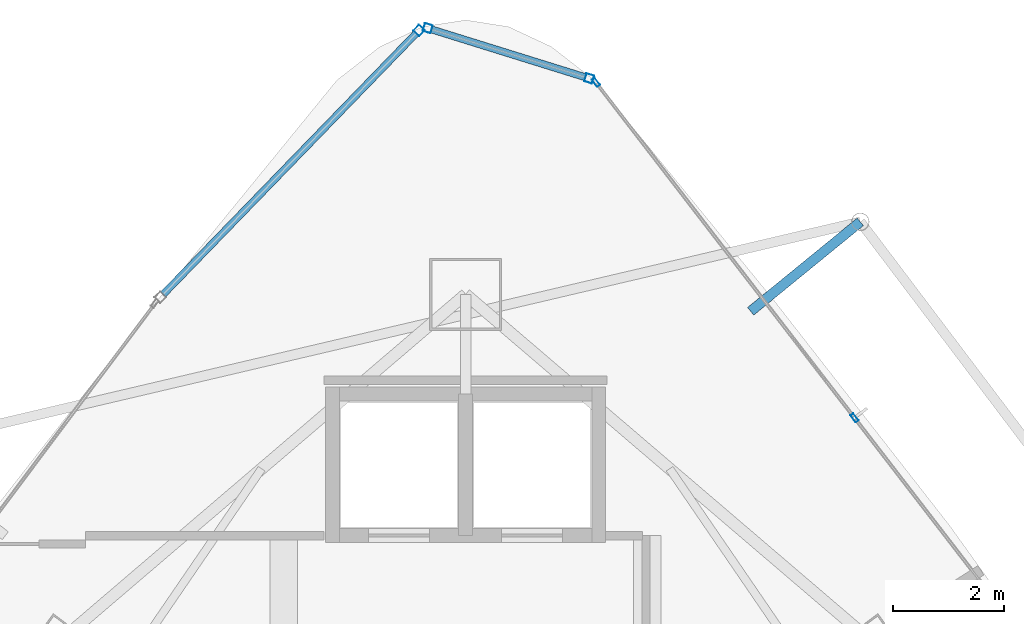
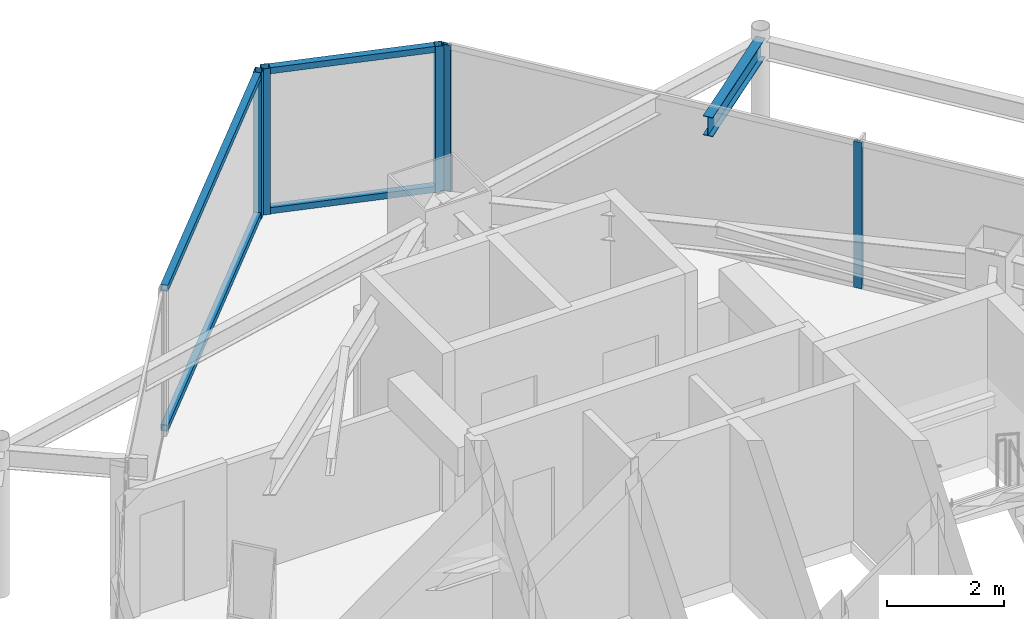
# One storey, part 25 of 33: 9 members, 1 beam, 3 elements without a shape of their own.
"""IFC4 building model written with IfcOpenShell, lengths in metres."""

from ifc_helpers import new_model, si_unit, direction, frame, origin, origin_2d, place, context, subcontext, project, spatial, hollow_rectangle, i_section, extrude, material, layer, layer_set, material_profile, profile_set, type_object, element, aggregate, save


model = new_model("IFC4")

# Units and contexts
model_context = context("Model", 3, precision=1e-05, world=origin(), true_north=direction((0.0, 1.0)))
body_context = subcontext(model_context, "Body", "Model", "MODEL_VIEW")
ifc_project = project(units=[si_unit("LENGTHUNIT", "METRE"), si_unit("AREAUNIT", "SQUARE_METRE"), si_unit("VOLUMEUNIT", "CUBIC_METRE"), si_unit("PLANEANGLEUNIT", "RADIAN"), si_unit("MASSUNIT", "GRAM", prefix="KILO")], contexts=[model_context])

# Site, building, storey
site_placement = place(None, origin())
site = spatial("IfcSite", under=ifc_project, at=site_placement, CompositionType="ELEMENT")
building_placement = place(site_placement, origin())
building = spatial("IfcBuilding", under=site, at=building_placement, Name="Orvanel Arch Residences", CompositionType="ELEMENT")
storey_placement = place(building_placement, frame((0.0, 0.0, 209.60009765625)))
storey = spatial("IfcBuildingStorey", under=building, at=storey_placement, Name="L59", CompositionType="ELEMENT", Elevation=209.60009765625)

# Curtain wall, members
ifc_material_1 = material(Name="Bronze-anodised aluminium AA6063-T6", Category="aluminium")
ifc_layer_1 = layer(ifc_material_1, 0.18994140625)
ifc_layer_set_1 = layer_set([ifc_layer_1], Name="Bronze-anodised aluminium AA6063-T6")
curtain_wall_type_1 = type_object("IfcCurtainWallType", Name="CW5-CRN-SYS", PredefinedType="NOTDEFINED", material=ifc_layer_set_1)
curtain_wall_1_placement = place(storey_placement, origin())
curtain_wall_1 = element("IfcCurtainWall", 1, at=curtain_wall_1_placement, inside=storey, type_object=curtain_wall_type_1, Name="L59 CW5-CRN-SYS Unitised Curtain Wall", PredefinedType="NOTDEFINED")
ifc_material_profile_1 = material_profile(ifc_material_1, hollow_rectangle(XDim=0.14990234375, YDim=0.14990234375, WallThickness=0.0048828125, at=origin_2d()), Name="ALU150x150x5")
ifc_profile_set_1 = profile_set([ifc_material_profile_1], Name="Bronze-anodised aluminium AA6063-T6")
member_type_1 = type_object("IfcMemberType", Name="MUL-150x150", PredefinedType="MULLION", material=ifc_profile_set_1)
member_1_placement = place(storey_placement, frame((35.227294921875, 45.287353515625, 0.0), z_axis=(0.0, 0.0, 1.0), x_axis=(-0.297117246401, -0.954841003461, 0.0)))
member_1 = element("IfcMember", 2, at=member_1_placement, type_object=member_type_1, Name="CW-S5 mullion 1", PredefinedType="MULLION", context=body_context, shape_type="SweptSolid", body=[
    extrude(hollow_rectangle(XDim=0.14990234375, YDim=0.14990234375, WallThickness=0.0048828125, at=origin_2d()), origin(), (0.0, 0.0, 1.0), 3.059814453125),
])
member_2_placement = place(storey_placement, frame((32.317626953125, 46.192626953125, 0.0), z_axis=(0.0, 0.0, 1.0), x_axis=(-0.297117246401, -0.954841003461, 0.0)))
member_2 = element("IfcMember", 3, at=member_2_placement, type_object=member_type_1, Name="CW-S5 mullion 2", PredefinedType="MULLION", context=body_context, shape_type="SweptSolid", body=[
    extrude(hollow_rectangle(XDim=0.14990234375, YDim=0.14990234375, WallThickness=0.0048828125, at=origin_2d()), origin(), (0.0, 0.0, 1.0), 3.059814453125),
])

# Curtain wall, member
curtain_wall_2_placement = place(storey_placement, origin())
curtain_wall_2 = element("IfcCurtainWall", 4, at=curtain_wall_2_placement, inside=storey, type_object=curtain_wall_type_1, Name="L59 CW5-CRN-SYS Unitised Curtain Wall", PredefinedType="NOTDEFINED")
member_3_placement = place(storey_placement, frame((32.160888671875, 46.153076171875, 0.0), z_axis=(0.0, 0.0, 1.0), x_axis=(0.718044101209, -0.695997606834, 0.0)))
member_3 = element("IfcMember", 5, at=member_3_placement, type_object=member_type_1, Name="CW-S5 mullion 1", PredefinedType="MULLION", context=body_context, shape_type="SweptSolid", body=[
    extrude(hollow_rectangle(XDim=0.14990234375, YDim=0.14990234375, WallThickness=0.0048828125, at=origin_2d()), origin(), (0.0, 0.0, 1.0), 3.059814453125),
])

# Curtain wall, members
ifc_layer_2 = layer(ifc_material_1, 0.175048828125)
ifc_layer_set_2 = layer_set([ifc_layer_2], Name="Bronze-anodised aluminium AA6063-T6")
curtain_wall_type_2 = type_object("IfcCurtainWallType", Name="CW4-HI-SYS", PredefinedType="NOTDEFINED", material=ifc_layer_set_2)
curtain_wall_3_placement = place(storey_placement, origin())
curtain_wall_3 = element("IfcCurtainWall", 6, at=curtain_wall_3_placement, inside=storey, type_object=curtain_wall_type_2, Name="L59 CW4-HI-SYS Unitised Curtain Wall", PredefinedType="NOTDEFINED")
ifc_material_profile_2 = material_profile(ifc_material_1, hollow_rectangle(XDim=0.06494140625, YDim=0.159912109375, WallThickness=0.00390625, at=origin_2d()), Name="ALU160x65x4")
ifc_profile_set_2 = profile_set([ifc_material_profile_2], Name="Bronze-anodised aluminium AA6063-T6")
member_type_2 = type_object("IfcMemberType", Name="MUL-160x65", PredefinedType="MULLION", material=ifc_profile_set_2)
member_4_placement = place(storey_placement, frame((40.007568359375, 39.172119140625, 0.0), z_axis=(0.0, 0.0, 1.0), x_axis=(-0.792150817266, -0.61032539084, 0.0)))
member_4 = element("IfcMember", 7, at=member_4_placement, type_object=member_type_2, Name="CW-S4 mullion 2", PredefinedType="MULLION", context=body_context, shape_type="SweptSolid", body=[
    extrude(hollow_rectangle(XDim=0.06494140625, YDim=0.159912109375, WallThickness=0.00390625, at=origin_2d()), origin(), (0.0, 0.0, 1.0), 3.059814453125),
])
member_5_placement = place(storey_placement, frame((35.349853515625, 45.21728515625, 0.0), z_axis=(0.0, 0.0, 1.0), x_axis=(-0.792150817266, -0.61032539084, 0.0)))
member_5 = element("IfcMember", 8, at=member_5_placement, type_object=member_type_2, Name="CW-S4 mullion 3", PredefinedType="MULLION", context=body_context, shape_type="SweptSolid", body=[
    extrude(hollow_rectangle(XDim=0.06494140625, YDim=0.159912109375, WallThickness=0.00390625, at=origin_2d()), origin(), (0.0, 0.0, 1.0), 3.059814453125),
])
aggregate(curtain_wall_3, [member_4, member_5])

# Beam
ifc_material_2 = material(Name="Structural steel AS/NZS 3679.1 Grade 300 (300 MPa)", Category="steel")
ifc_material_profile_3 = material_profile(ifc_material_2, i_section(OverallWidth=0.177978515625, OverallDepth=0.406005859375, WebThickness=0.0078125, FlangeThickness=0.0126953125, at=origin_2d()), Name="410UB59.7")
ifc_profile_set_3 = profile_set([ifc_material_profile_3], Name="Structural steel AS/NZS 3679.1 Grade 300 (300 MPa)")
beam_type = type_object("IfcBeamType", Name="OB-410UB-EXT", PredefinedType="SPANDREL", material=ifc_profile_set_3)
beam_placement = place(storey_placement, frame((38.135986328125, 41.092041015625, 2.85693359375), z_axis=(0.774865020772, 0.632126727472, 0.0), x_axis=(-0.632126727472, 0.774865020772, 0.0)))
element("IfcBeam", 9, at=beam_placement, inside=storey, type_object=beam_type, Name="L59 Outer Frame Radial Tie Beam 12", PredefinedType="SPANDREL", context=body_context, shape_type="SweptSolid", body=[
    extrude(i_section(OverallWidth=0.177978515625, OverallDepth=0.406005859375, WebThickness=0.0078125, FlangeThickness=0.0126953125, at=origin_2d()), origin(), (0.0, 0.0, 1.0), 2.55029296875),
])

# Member
ifc_material_profile_4 = material_profile(ifc_material_1, hollow_rectangle(XDim=0.1298828125, YDim=0.1298828125, WallThickness=0.00439453125, at=origin_2d()), Name="ALU130x130x4.5")
ifc_profile_set_4 = profile_set([ifc_material_profile_4], Name="Bronze-anodised aluminium AA6063-T6")
member_type_3 = type_object("IfcMemberType", Name="TRN-130x130", PredefinedType="USERDEFINED", material=ifc_profile_set_4)
member_6_placement = place(storey_placement, frame((35.15576171875, 45.3095703125, 0.06494140625), z_axis=(-0.954845090598, 0.297104111317, 0.0), x_axis=(-0.297104111317, -0.954845090598, 0.0)))
member_6 = element("IfcMember", 10, at=member_6_placement, type_object=member_type_3, Name="CW-S5 transom 1.1", ObjectType="TRANSOM", PredefinedType="USERDEFINED", context=body_context, shape_type="SweptSolid", body=[
    extrude(hollow_rectangle(XDim=0.1298828125, YDim=0.1298828125, WallThickness=0.00439453125, at=origin_2d()), origin(), (0.0, 0.0, 1.0), 2.8974609375),
])

member_7_placement = place(storey_placement, frame((35.15576171875, 45.3095703125, 2.994873046875), z_axis=(-0.954845090598, 0.297104111317, 0.0), x_axis=(-0.297104111317, -0.954845090598, 0.0)))
member_7 = element("IfcMember", 11, at=member_7_placement, type_object=member_type_3, Name="CW-S5 transom 1.2", ObjectType="TRANSOM", PredefinedType="USERDEFINED", context=body_context, shape_type="SweptSolid", body=[
    extrude(hollow_rectangle(XDim=0.1298828125, YDim=0.1298828125, WallThickness=0.00439453125, at=origin_2d()), origin(), (0.0, 0.0, 1.0), 2.8974609375),
])

aggregate(curtain_wall_1, [member_1, member_2, member_6, member_7])

member_8_placement = place(storey_placement, frame((32.108642578125, 46.099365234375, 0.06494140625), z_axis=(-0.696005516667, -0.718036434151, 0.0), x_axis=(0.718036434151, -0.696005516667, 0.0)))
member_8 = element("IfcMember", 12, at=member_8_placement, type_object=member_type_3, Name="CW-S5 transom 1.1", ObjectType="TRANSOM", PredefinedType="USERDEFINED", context=body_context, shape_type="SweptSolid", body=[
    extrude(hollow_rectangle(XDim=0.1298828125, YDim=0.1298828125, WallThickness=0.00439453125, at=origin_2d()), origin(), (0.0, 0.0, 1.0), 6.54931640625),
])

member_9_placement = place(storey_placement, frame((32.108642578125, 46.099365234375, 2.994873046875), z_axis=(-0.696005516667, -0.718036434151, 0.0), x_axis=(0.718036434151, -0.696005516667, 0.0)))
member_9 = element("IfcMember", 13, at=member_9_placement, type_object=member_type_3, Name="CW-S5 transom 1.2", ObjectType="TRANSOM", PredefinedType="USERDEFINED", context=body_context, shape_type="SweptSolid", body=[
    extrude(hollow_rectangle(XDim=0.1298828125, YDim=0.1298828125, WallThickness=0.00439453125, at=origin_2d()), origin(), (0.0, 0.0, 1.0), 6.54931640625),
])

aggregate(curtain_wall_2, [member_3, member_8, member_9])

save(model, "model.ifc")
